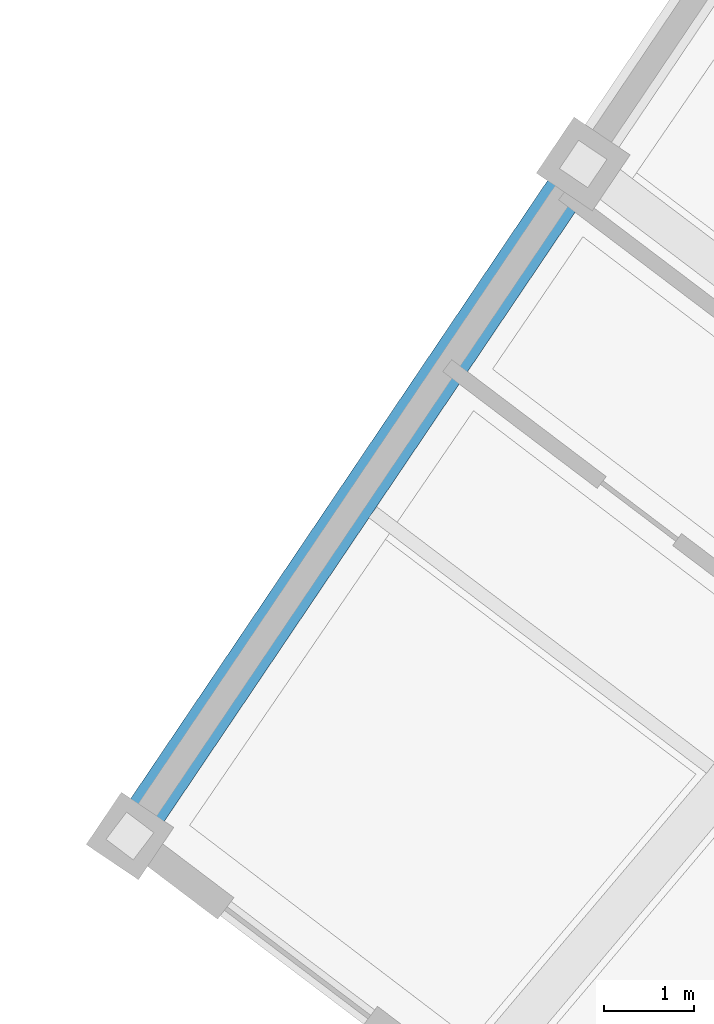
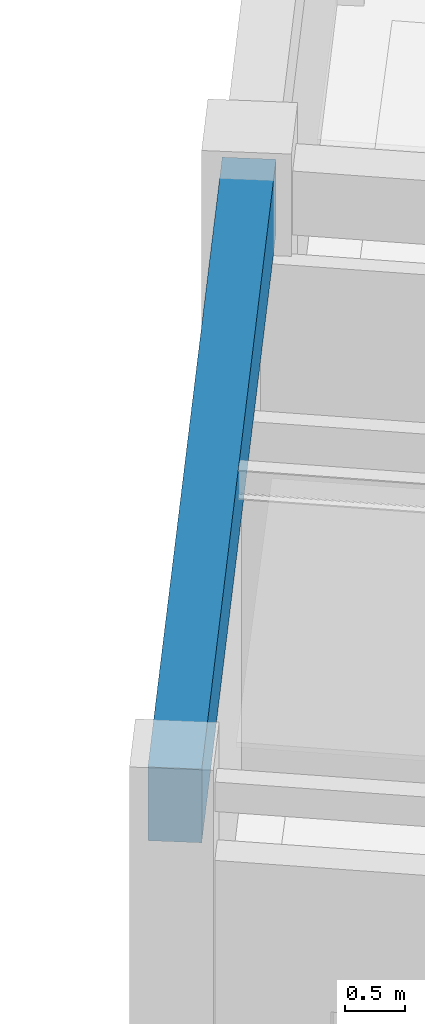
# One storey, part 74 of 108: 1 beam.
"""IFC4 building model written with IfcOpenShell, lengths in metres."""

from ifc_helpers import new_model, si_unit, direction, frame, origin, origin_2d, place, context, subcontext, project, spatial, rectangle, extrude, material, material_profile, profile_set, type_object, element, save


model = new_model("IFC4")

# Units and contexts
model_context = context("Model", 3, precision=1e-05, world=origin(), true_north=direction((0.0, 1.0)))
body_context = subcontext(model_context, "Body", "Model", "MODEL_VIEW")
ifc_project = project(units=[si_unit("LENGTHUNIT", "METRE"), si_unit("AREAUNIT", "SQUARE_METRE"), si_unit("VOLUMEUNIT", "CUBIC_METRE"), si_unit("PLANEANGLEUNIT", "RADIAN"), si_unit("MASSUNIT", "GRAM", prefix="KILO")], contexts=[model_context])

# Site, building, storey
site_placement = place(None, origin())
site = spatial("IfcSite", under=ifc_project, at=site_placement, CompositionType="ELEMENT")
building_placement = place(site_placement, origin())
building = spatial("IfcBuilding", under=site, at=building_placement, Name="Tarnveldt Headland Concert Hall", CompositionType="ELEMENT")
storey_placement = place(building_placement, origin())
storey = spatial("IfcBuildingStorey", under=building, at=storey_placement, Name="L00", CompositionType="ELEMENT", Elevation=0.0)

# Beam
ifc_material = material(Name="Concrete C40/50", Category="concrete")
ifc_material_profile = material_profile(ifc_material, rectangle(XDim=0.449951171875, YDim=0.75, at=origin_2d()), Name="RC 450x750", Category="concrete")
ifc_profile_set = profile_set([ifc_material_profile], Name="Concrete C40/50")
beam_type = type_object("IfcBeamType", Name="CB-450x750", PredefinedType="BEAM", material=ifc_profile_set)
beam_placement = place(storey_placement, frame((141.578857421875, 95.6982421875, 4.14501953125), z_axis=(0.559177704886, 0.829047823927, 0.0), x_axis=(-0.829047823927, 0.559177704886, 0.0)))
element("IfcBeam", 1, at=beam_placement, inside=storey, type_object=beam_type, Name="Framing beam L00-550", PredefinedType="BEAM", context=body_context, shape_type="SweptSolid", body=[
    extrude(rectangle(XDim=0.449951171875, YDim=0.75, at=origin_2d()), origin(), (0.0, 0.0, 1.0), 8.880126953125),
])

save(model, "model.ifc")
